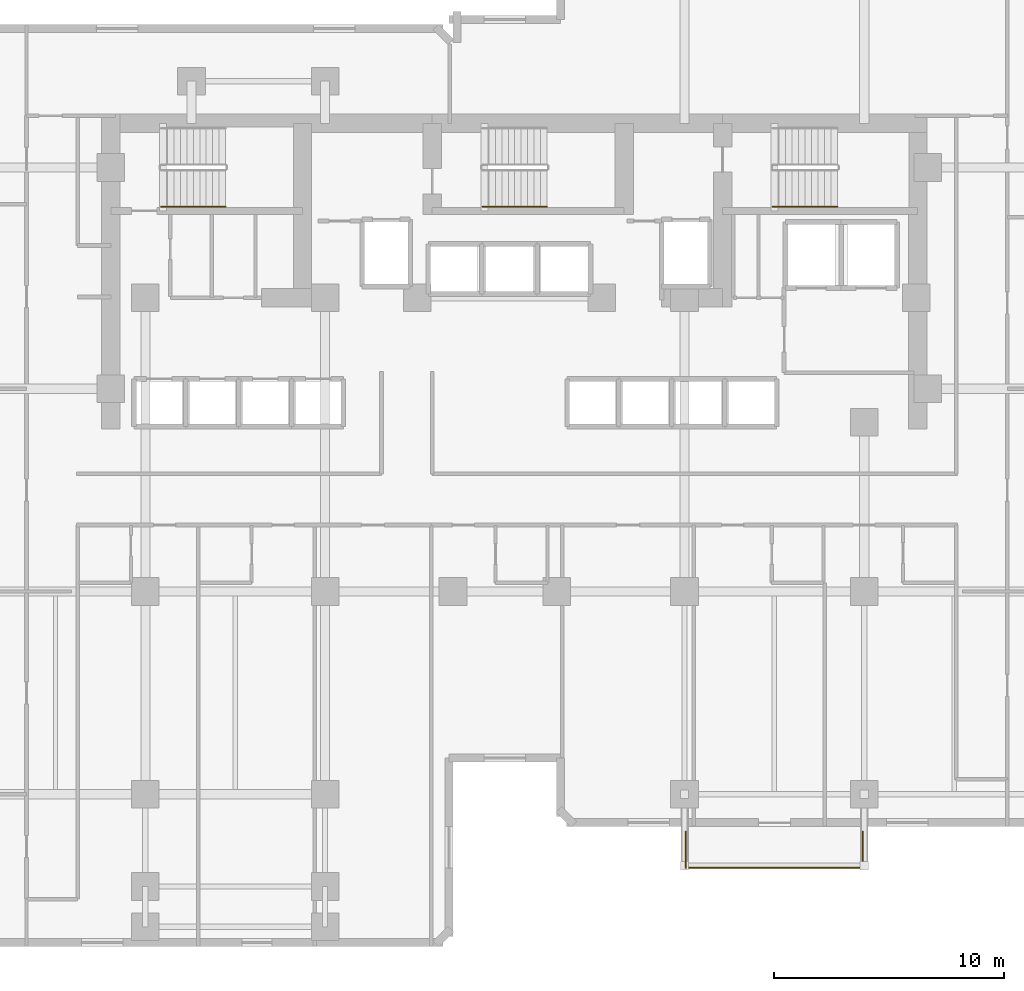
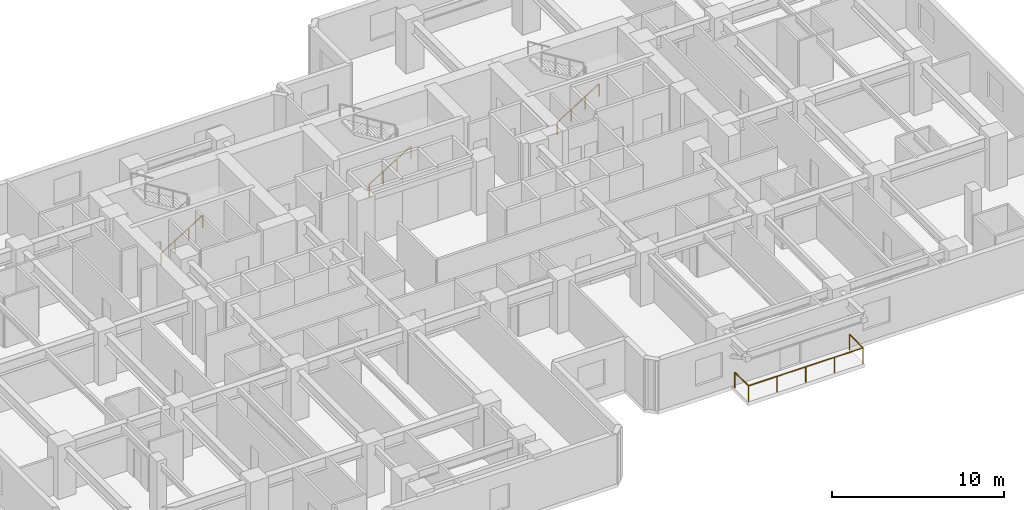
# One storey, part 11 of 12: 5 railings.
"""IFC4 building model written with IfcOpenShell, lengths in metres."""

from ifc_helpers import new_model, si_unit, direction, frame, origin, origin_2d, place, context, subcontext, project, spatial, circle, extrude, material, type_object, element, save


model = new_model("IFC4")

# Units and contexts
model_context = context("Model", 3, precision=1e-05, world=origin(), true_north=direction((0.0, 1.0)))
body_context = subcontext(model_context, "Body", "Model", "MODEL_VIEW")
ifc_project = project(units=[si_unit("LENGTHUNIT", "METRE"), si_unit("AREAUNIT", "SQUARE_METRE"), si_unit("VOLUMEUNIT", "CUBIC_METRE"), si_unit("PLANEANGLEUNIT", "RADIAN"), si_unit("MASSUNIT", "GRAM", prefix="KILO")], contexts=[model_context])

# Site, building, storey
site_placement = place(None, origin())
site = spatial("IfcSite", under=ifc_project, at=site_placement, CompositionType="ELEMENT")
building_placement = place(site_placement, origin())
building = spatial("IfcBuilding", under=site, at=building_placement, Name="Kestravale Grand Hotel", CompositionType="ELEMENT")
storey_placement = place(building_placement, frame((0.0, 0.0, 122.199951171875)))
storey = spatial("IfcBuildingStorey", under=building, at=storey_placement, Name="L30", CompositionType="ELEMENT", Elevation=122.199951171875)

# Railings
ifc_material_1 = material(Name="Champagne-bronze stainless steel and laminated glass guard", Category="steel")
railing_type_1 = type_object("IfcRailingType", Name="RL-EXT-1100", PredefinedType="GUARDRAIL", material=ifc_material_1)
railing_1_placement = place(storey_placement, frame((46.860107421875, 8.010009765625, 0.0)))
element("IfcRailing", 1, at=railing_1_placement, inside=storey, type_object=railing_type_1, Name="L30 outdoor terrace guard 1", PredefinedType="GUARDRAIL", context=body_context, shape_type="SweptSolid", body=[
    extrude(circle(Radius=0.02392578125, at=origin_2d()), frame((0.0, 0.0, 1.09619140625), z_axis=(0.0, 1.0, 0.0), x_axis=(-1.0, 0.0, 0.0)), (0.0, 0.0, 1.0), 1.570068359375),
    extrude(circle(Radius=0.02099609375, at=origin_2d()), origin(), (0.0, 0.0, 1.0), 1.072021484375),
    extrude(circle(Radius=0.02099609375, at=origin_2d()), frame((0.0, 1.570068359375, 0.0)), (0.0, 0.0, 1.0), 1.072021484375),
])
railing_2_placement = place(storey_placement, frame((54.5400390625, 9.580078125, 0.0)))
element("IfcRailing", 2, at=railing_2_placement, inside=storey, type_object=railing_type_1, Name="L30 outdoor terrace guard 2", PredefinedType="GUARDRAIL", context=body_context, shape_type="SweptSolid", body=[
    extrude(circle(Radius=0.02392578125, at=origin_2d()), frame((0.0, 0.0, 1.09619140625), z_axis=(0.0, -1.0, 0.0), x_axis=(1.0, 0.0, 0.0)), (0.0, 0.0, 1.0), 1.570068359375),
    extrude(circle(Radius=0.02392578125, at=origin_2d()), frame((0.0, -1.570068359375, 1.09619140625), z_axis=(-1.0, 0.0, 0.0), x_axis=(0.0, -1.0, 0.0)), (0.0, 0.0, 1.0), 7.679931640625),
    extrude(circle(Radius=0.02099609375, at=origin_2d()), origin(), (0.0, 0.0, 1.0), 1.072021484375),
    extrude(circle(Radius=0.02099609375, at=origin_2d()), frame((0.0, -1.570068359375, 0.0)), (0.0, 0.0, 1.0), 1.072021484375),
    extrude(circle(Radius=0.02099609375, at=origin_2d()), frame((-1.919921875, -1.570068359375, 0.0)), (0.0, 0.0, 1.0), 1.072021484375),
    extrude(circle(Radius=0.02099609375, at=origin_2d()), frame((-3.83984375, -1.570068359375, 0.0)), (0.0, 0.0, 1.0), 1.072021484375),
    extrude(circle(Radius=0.02099609375, at=origin_2d()), frame((-5.760009765625, -1.570068359375, 0.0)), (0.0, 0.0, 1.0), 1.072021484375),
    extrude(circle(Radius=0.02099609375, at=origin_2d()), frame((-7.679931640625, -1.570068359375, 0.0)), (0.0, 0.0, 1.0), 1.072021484375),
])
ifc_material_2 = material(Name="Brushed stainless steel wall handrail", Category="steel")
railing_type_2 = type_object("IfcRailingType", Name="RL-ST-HND900", PredefinedType="HANDRAIL", material=ifc_material_2)
railing_3_placement = place(storey_placement, frame((24.080078125, 36.699951171875, 0.1728515625)))
element("IfcRailing", 3, at=railing_3_placement, inside=storey, type_object=railing_type_2, Name="L30 ST-1 stair handrail 1", PredefinedType="HANDRAIL", context=body_context, shape_type="SweptSolid", body=[
    extrude(circle(Radius=0.02392578125, at=origin_2d()), frame((0.0, 0.0, 0.8759765625), z_axis=(0.851069175582, 0.0, 0.525053576669), x_axis=(0.0, 1.0, 0.0)), (0.0, 0.0, 1.0), 3.289794921875),
    extrude(circle(Radius=0.02099609375, at=origin_2d()), origin(), (0.0, 0.0, 1.0), 0.851806640625),
    extrude(circle(Radius=0.02099609375, at=origin_2d()), frame((0.933349609375, 0.0, 0.57568359375)), (0.0, 0.0, 1.0), 0.851806640625),
    extrude(circle(Radius=0.02099609375, at=origin_2d()), frame((1.866455078125, 0.0, 1.151611328125)), (0.0, 0.0, 1.0), 0.851806640625),
    extrude(circle(Radius=0.02099609375, at=origin_2d()), frame((2.7998046875, 0.0, 1.727294921875)), (0.0, 0.0, 1.0), 0.851806640625),
])
for number, where, name in (
    (4, (38.030029296875, 36.699951171875, 0.1728515625), "L30 ST-2 stair handrail 1"),
    (5, (50.6298828125, 36.699951171875, 0.1728515625), "L30 ST-3 stair handrail 1"),
):
    element("IfcRailing", number, at=place(storey_placement, frame(where)), inside=storey, type_object=railing_type_2, Name=name, PredefinedType="HANDRAIL", context=body_context, shape_type="SweptSolid", body=[
        extrude(circle(Radius=0.02392578125, at=origin_2d()), frame((0.0, 0.0, 0.8759765625), z_axis=(0.851089632645, 0.0, 0.525020415988), x_axis=(0.0, 1.0, 0.0)), (0.0, 0.0, 1.0), 3.2900390625),
        extrude(circle(Radius=0.02099609375, at=origin_2d()), origin(), (0.0, 0.0, 1.0), 0.851806640625),
        extrude(circle(Radius=0.02099609375, at=origin_2d()), frame((0.933349609375, 0.0, 0.57568359375)), (0.0, 0.0, 1.0), 0.851806640625),
        extrude(circle(Radius=0.02099609375, at=origin_2d()), frame((1.86669921875, 0.0, 1.151611328125)), (0.0, 0.0, 1.0), 0.851806640625),
        extrude(circle(Radius=0.02099609375, at=origin_2d()), frame((2.800048828125, 0.0, 1.727294921875)), (0.0, 0.0, 1.0), 0.851806640625),
    ])

save(model, "model.ifc")
